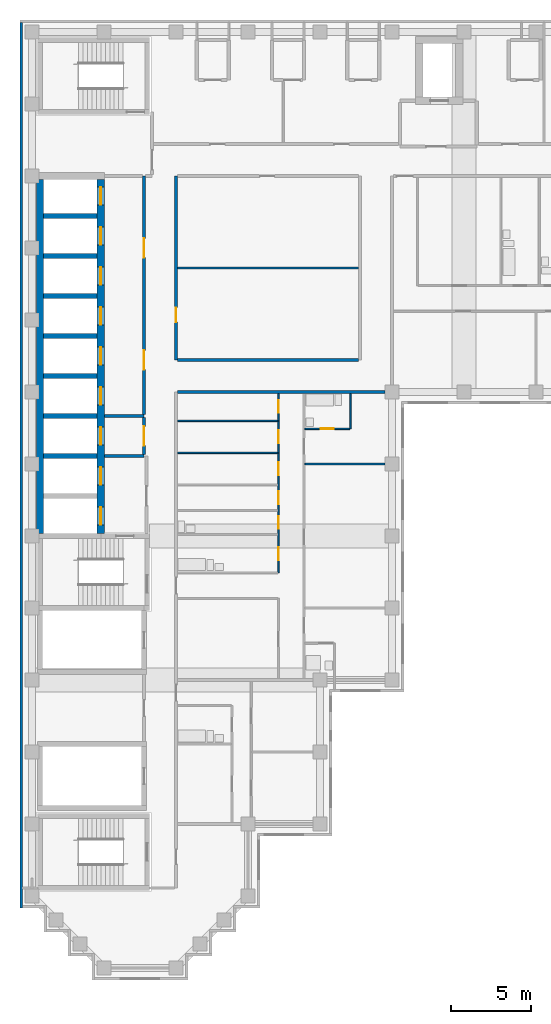
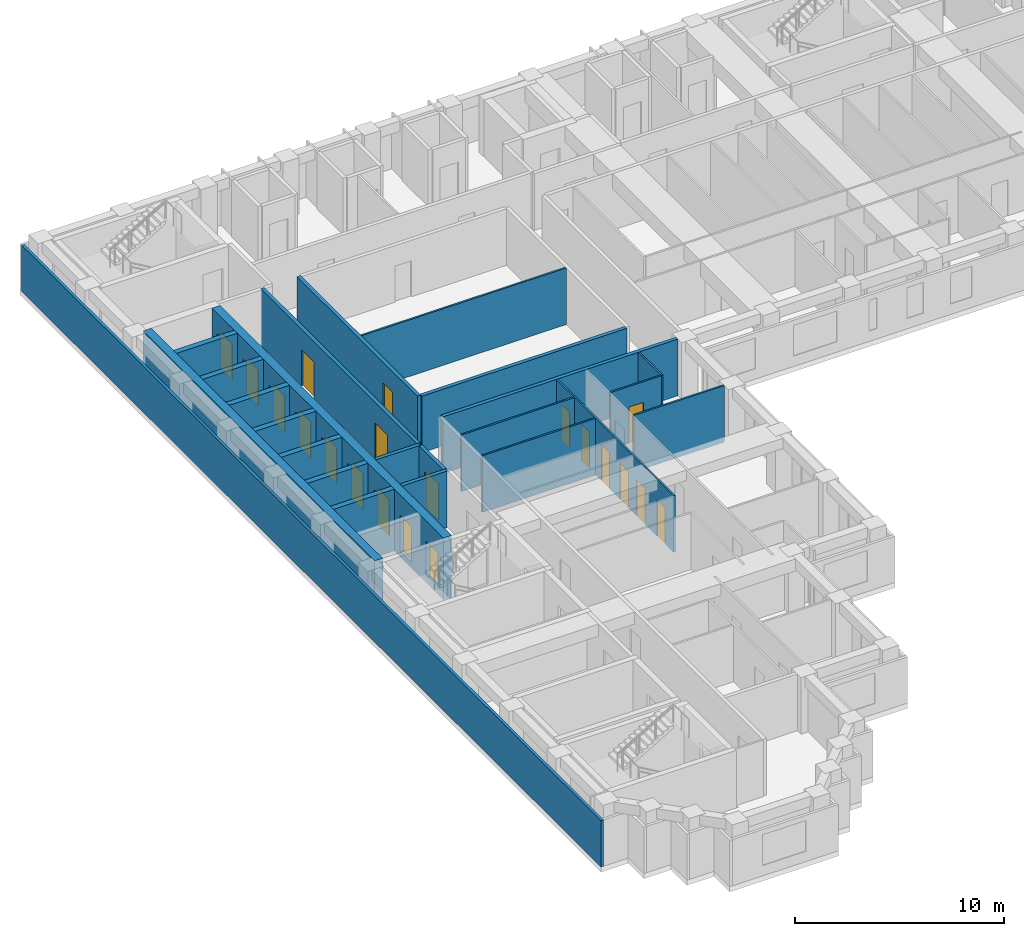
# One storey, part 4 of 10: 24 walls, 20 doors, 20 openings.
"""IFC4 building model written with IfcOpenShell, lengths in metres."""

from ifc_helpers import new_model, si_unit, direction, frame, frame_2d, origin, place, context, subcontext, project, spatial, rectangle, extrude, material, layer, layer_set, type_object, element, fill, save


model = new_model("IFC4")

# Units and contexts
model_context = context("Model", 3, precision=1e-05, world=origin(), true_north=direction((0.0, 1.0)))
body_context = subcontext(model_context, "Body", "Model", "MODEL_VIEW")
ifc_project = project(units=[si_unit("LENGTHUNIT", "METRE"), si_unit("AREAUNIT", "SQUARE_METRE"), si_unit("VOLUMEUNIT", "CUBIC_METRE"), si_unit("PLANEANGLEUNIT", "RADIAN"), si_unit("MASSUNIT", "GRAM", prefix="KILO")], contexts=[model_context])

# Site, building, storey
site_placement = place(None, origin())
site = spatial("IfcSite", under=ifc_project, at=site_placement, CompositionType="ELEMENT")
building_placement = place(site_placement, origin())
building = spatial("IfcBuilding", under=site, at=building_placement, Name="Firuza Court", CompositionType="ELEMENT")
storey_placement = place(building_placement, frame((0.0, 0.0, 204.199951171875)))
storey = spatial("IfcBuildingStorey", under=building, at=storey_placement, Name="L52", CompositionType="ELEMENT", Elevation=204.199951171875)

# Wall, opening, door
ifc_material_1 = material(Name="Moisture-resistant gypsum board partition")
ifc_layer_1 = layer(ifc_material_1, 0.10009765625)
ifc_layer_set_1 = layer_set([ifc_layer_1], Name="Moisture-resistant gypsum board partition")
wall_type_1 = type_object("IfcWallType", Name="Bathroom partition 100", PredefinedType="PLUMBINGWALL", material=ifc_layer_set_1)
wall_1_placement = place(storey_placement, frame((17.050048828125, 33.699951171875, 0.0), z_axis=(0.0, 0.0, 1.0), x_axis=(1.0, 0.0, 0.0)))
wall_1 = element("IfcWall", 1, at=wall_1_placement, inside=storey, type_object=wall_type_1, Name="Bathroom partition 100 L52", PredefinedType="PLUMBINGWALL", context=body_context, shape_type="SweptSolid", body=[
    extrude(rectangle(XDim=2.800048828125, YDim=0.10009765625, at=frame_2d((1.39990234375, 0.0))), origin(), (0.0, 0.0, 1.0), 3.300048828125),
])
opening_1_placement = place(wall_1_placement, frame((1.0, 0.0, 0.0)))
opening_1 = element("IfcOpeningElement", 2, at=opening_1_placement, cuts=wall_1, Name="Opening D52035", PredefinedType="OPENING", context=body_context, shape_type="SweptSolid", body=[
    extrude(rectangle(XDim=0.800048828125, YDim=2.10009765625, at=frame_2d((0.39990234375, 1.050048828125))), frame((0.0, 0.06201171875, 0.0), z_axis=(0.0, -1.0, 0.0), x_axis=(1.0, 0.0, 0.0)), (0.0, 0.0, 1.0), 0.1240234375),
])
ifc_material_2 = material(Name="Timber door leaf in hardwood frame", Category="wood")
door_type_1 = type_object("IfcDoorType", Name="Bathroom door 800", OperationType="SINGLE_SWING_LEFT", PredefinedType="DOOR", material=ifc_material_2)
door_1_placement = place(opening_1_placement, origin())
door_1 = element("IfcDoor", 3, at=door_1_placement, inside=storey, type_object=door_type_1, Name="En-suite door", OperationType="SINGLE_SWING_LEFT", OverallHeight=2.10009765625, OverallWidth=0.800048828125, PredefinedType="DOOR", context=body_context, shape_type="SweptSolid", body=[
    extrude(rectangle(XDim=0.800048828125, YDim=2.10009765625, at=frame_2d((0.39990234375, 1.050048828125))), frame((0.0, 0.02490234375, 0.0), z_axis=(0.0, -1.0, 0.0), x_axis=(1.0, 0.0, 0.0)), (0.0, 0.0, 1.0), 0.050048828125),
])
fill(opening_1, door_1)

# Walls
wall_2_placement = place(storey_placement, frame((19.89990234375, 33.699951171875, 0.0), z_axis=(0.0, 0.0, 1.0), x_axis=(0.0, 1.0, 0.0)))
element("IfcWall", 4, at=wall_2_placement, inside=storey, type_object=wall_type_1, Name="Bathroom partition 100 L52", PredefinedType="PLUMBINGWALL", context=body_context, shape_type="SweptSolid", body=[
    extrude(rectangle(XDim=2.199951171875, YDim=0.10009765625, at=frame_2d((1.10009765625, 0.0))), origin(), (0.0, 0.0, 1.0), 3.300048828125),
])
ifc_material_3 = material(Name="Concrete C50/60", Category="concrete")
ifc_layer_2 = layer(ifc_material_3, 0.300048828125)
ifc_layer_set_2 = layer_set([ifc_layer_2], Name="Concrete C50/60")
wall_type_2 = type_object("IfcWallType", Name="Core wall 300 C50/60", PredefinedType="SHEAR", material=ifc_layer_set_2)
for number, where, z_axis, x_axis, name in (
    (5, (0.72509765625, 32.0, -0.300048828125), (0.0, 0.0, 1.0), (1.0, 0.0, 0.0), "Core wall lift shaft L52"),
    (6, (0.72509765625, 34.5, -0.300048828125), (0.0, 0.0, 1.0), (1.0, 0.0, 0.0), "Core wall lift shaft L52"),
    (7, (0.72509765625, 37.0, -0.300048828125), (0.0, 0.0, 1.0), (1.0, 0.0, 0.0), "Core wall lift shaft L52"),
    (8, (0.72509765625, 39.5, -0.300048828125), (0.0, 0.0, 1.0), (1.0, 0.0, 0.0), "Core wall lift shaft L52"),
    (9, (0.72509765625, 42.0, -0.300048828125), (0.0, 0.0, 1.0), (1.0, 0.0, 0.0), "Core wall lift shaft L52"),
    (10, (0.72509765625, 44.5, -0.300048828125), (0.0, 0.0, 1.0), (1.0, 0.0, 0.0), "Core wall lift shaft L52"),
    (11, (0.72509765625, 47.0, -0.300048828125), (0.0, 0.0, 1.0), (1.0, 0.0, 0.0), "Core wall lift shaft L52"),
):
    element("IfcWall", number, at=place(storey_placement, frame(where, z_axis=z_axis, x_axis=x_axis)), inside=storey, type_object=wall_type_2, Name=name, PredefinedType="SHEAR", context=body_context, shape_type="SweptSolid", body=[
        extrude(rectangle(XDim=3.349853515625, YDim=0.300048828125, at=frame_2d((1.6748046875, 0.0))), origin(), (0.0, 0.0, 1.0), 3.60009765625),
    ])
ifc_layer_3 = layer(ifc_material_3, 0.449951171875)
ifc_layer_set_3 = layer_set([ifc_layer_3], Name="Concrete C50/60")
wall_type_3 = type_object("IfcWallType", Name="Core wall 450 C50/60", PredefinedType="SHEAR", material=ifc_layer_set_3)
wall_3_placement = place(storey_placement, frame((0.5, 27.14990234375, -0.300048828125), z_axis=(0.0, 0.0, 1.0), x_axis=(0.0, 1.0, 0.0)))
element("IfcWall", 12, at=wall_3_placement, inside=storey, type_object=wall_type_3, Name="Core wall lift shaft L52", PredefinedType="SHEAR", context=body_context, shape_type="SweptSolid", body=[
    extrude(rectangle(XDim=22.125, YDim=0.449951171875, at=frame_2d((11.0625, 0.0))), origin(), (0.0, 0.0, 1.0), 3.60009765625),
])

# Wall, openings, doors
wall_4_placement = place(storey_placement, frame((4.300048828125, 27.14990234375, -0.300048828125), z_axis=(0.0, 0.0, 1.0), x_axis=(0.0, 1.0, 0.0)))
wall_4 = element("IfcWall", 13, at=wall_4_placement, inside=storey, type_object=wall_type_3, Name="Core wall lift shaft L52", PredefinedType="SHEAR", context=body_context, shape_type="SweptSolid", body=[
    extrude(rectangle(XDim=22.125, YDim=0.449951171875, at=frame_2d((11.0625, 0.0))), origin(), (0.0, 0.0, 1.0), 3.60009765625),
])
opening_2_placement = place(wall_4_placement, frame((3.050048828125, 0.0, 0.300048828125)))
opening_2 = element("IfcOpeningElement", 14, at=opening_2_placement, cuts=wall_4, Name="Opening LD-FL1-52", PredefinedType="OPENING", context=body_context, shape_type="SweptSolid", body=[
    extrude(rectangle(XDim=1.10009765625, YDim=2.10009765625, at=frame_2d((0.550048828125, 1.050048828125))), frame((0.0, 0.23681640625, 0.0), z_axis=(0.0, -1.0, 0.0), x_axis=(1.0, 0.0, 0.0)), (0.0, 0.0, 1.0), 0.473876953125),
])
opening_3_placement = place(wall_4_placement, frame((0.550048828125, 0.0, 0.300048828125)))
opening_3 = element("IfcOpeningElement", 15, at=opening_3_placement, cuts=wall_4, Name="Opening LD-FL2-52", PredefinedType="OPENING", context=body_context, shape_type="SweptSolid", body=[
    extrude(rectangle(XDim=1.10009765625, YDim=2.10009765625, at=frame_2d((0.550048828125, 1.050048828125))), frame((0.0, 0.23681640625, 0.0), z_axis=(0.0, -1.0, 0.0), x_axis=(1.0, 0.0, 0.0)), (0.0, 0.0, 1.0), 0.473876953125),
])
opening_4_placement = place(wall_4_placement, frame((20.550048828125, 0.0, 0.300048828125)))
opening_4 = element("IfcOpeningElement", 16, at=opening_4_placement, cuts=wall_4, Name="Opening LD-HB1-52", PredefinedType="OPENING", context=body_context, shape_type="SweptSolid", body=[
    extrude(rectangle(XDim=1.10009765625, YDim=2.10009765625, at=frame_2d((0.550048828125, 1.050048828125))), frame((0.0, 0.23681640625, 0.0), z_axis=(0.0, -1.0, 0.0), x_axis=(1.0, 0.0, 0.0)), (0.0, 0.0, 1.0), 0.473876953125),
])
opening_5_placement = place(wall_4_placement, frame((18.050048828125, 0.0, 0.300048828125)))
opening_5 = element("IfcOpeningElement", 17, at=opening_5_placement, cuts=wall_4, Name="Opening LD-HB2-52", PredefinedType="OPENING", context=body_context, shape_type="SweptSolid", body=[
    extrude(rectangle(XDim=1.10009765625, YDim=2.10009765625, at=frame_2d((0.550048828125, 1.050048828125))), frame((0.0, 0.23681640625, 0.0), z_axis=(0.0, -1.0, 0.0), x_axis=(1.0, 0.0, 0.0)), (0.0, 0.0, 1.0), 0.473876953125),
])
opening_6_placement = place(wall_4_placement, frame((15.550048828125, 0.0, 0.300048828125)))
opening_6 = element("IfcOpeningElement", 18, at=opening_6_placement, cuts=wall_4, Name="Opening LD-HB3-52", PredefinedType="OPENING", context=body_context, shape_type="SweptSolid", body=[
    extrude(rectangle(XDim=1.10009765625, YDim=2.10009765625, at=frame_2d((0.550048828125, 1.050048828125))), frame((0.0, 0.23681640625, 0.0), z_axis=(0.0, -1.0, 0.0), x_axis=(1.0, 0.0, 0.0)), (0.0, 0.0, 1.0), 0.473876953125),
])
opening_7_placement = place(wall_4_placement, frame((13.050048828125, 0.0, 0.300048828125)))
opening_7 = element("IfcOpeningElement", 19, at=opening_7_placement, cuts=wall_4, Name="Opening LD-HB4-52", PredefinedType="OPENING", context=body_context, shape_type="SweptSolid", body=[
    extrude(rectangle(XDim=1.10009765625, YDim=2.10009765625, at=frame_2d((0.550048828125, 1.050048828125))), frame((0.0, 0.23681640625, 0.0), z_axis=(0.0, -1.0, 0.0), x_axis=(1.0, 0.0, 0.0)), (0.0, 0.0, 1.0), 0.473876953125),
])
opening_8_placement = place(wall_4_placement, frame((10.550048828125, 0.0, 0.300048828125)))
opening_8 = element("IfcOpeningElement", 20, at=opening_8_placement, cuts=wall_4, Name="Opening LD-HB5-52", PredefinedType="OPENING", context=body_context, shape_type="SweptSolid", body=[
    extrude(rectangle(XDim=1.10009765625, YDim=2.10009765625, at=frame_2d((0.550048828125, 1.050048828125))), frame((0.0, 0.23681640625, 0.0), z_axis=(0.0, -1.0, 0.0), x_axis=(1.0, 0.0, 0.0)), (0.0, 0.0, 1.0), 0.473876953125),
])
opening_9_placement = place(wall_4_placement, frame((8.050048828125, 0.0, 0.300048828125)))
opening_9 = element("IfcOpeningElement", 21, at=opening_9_placement, cuts=wall_4, Name="Opening LD-HB6-52", PredefinedType="OPENING", context=body_context, shape_type="SweptSolid", body=[
    extrude(rectangle(XDim=1.10009765625, YDim=2.10009765625, at=frame_2d((0.550048828125, 1.050048828125))), frame((0.0, 0.23681640625, 0.0), z_axis=(0.0, -1.0, 0.0), x_axis=(1.0, 0.0, 0.0)), (0.0, 0.0, 1.0), 0.473876953125),
])
opening_10_placement = place(wall_4_placement, frame((5.550048828125, 0.0, 0.300048828125)))
opening_10 = element("IfcOpeningElement", 22, at=opening_10_placement, cuts=wall_4, Name="Opening LD-SL1-52", PredefinedType="OPENING", context=body_context, shape_type="SweptSolid", body=[
    extrude(rectangle(XDim=1.10009765625, YDim=2.10009765625, at=frame_2d((0.550048828125, 1.050048828125))), frame((0.0, 0.23681640625, 0.0), z_axis=(0.0, -1.0, 0.0), x_axis=(1.0, 0.0, 0.0)), (0.0, 0.0, 1.0), 0.473876953125),
])
ifc_material_4 = material(Name="Stainless steel 1.4301 door leaf", Category="steel")
door_type_2 = type_object("IfcDoorType", Name="Lift landing door 1100", OperationType="SLIDING_TO_LEFT", PredefinedType="DOOR", material=ifc_material_4)
door_2_placement = place(opening_2_placement, origin())
door_2 = element("IfcDoor", 23, at=door_2_placement, inside=storey, type_object=door_type_2, Name="Landing door FL1", OperationType="SLIDING_TO_LEFT", OverallHeight=2.10009765625, OverallWidth=1.10009765625, PredefinedType="DOOR", context=body_context, shape_type="SweptSolid", body=[
    extrude(rectangle(XDim=1.10009765625, YDim=2.10009765625, at=frame_2d((0.550048828125, 1.050048828125))), frame((0.0, 0.02490234375, 0.0), z_axis=(0.0, -1.0, 0.0), x_axis=(1.0, 0.0, 0.0)), (0.0, 0.0, 1.0), 0.050048828125),
])
fill(opening_2, door_2)
door_3_placement = place(opening_3_placement, origin())
door_3 = element("IfcDoor", 24, at=door_3_placement, inside=storey, type_object=door_type_2, Name="Landing door FL2", OperationType="SLIDING_TO_LEFT", OverallHeight=2.10009765625, OverallWidth=1.10009765625, PredefinedType="DOOR", context=body_context, shape_type="SweptSolid", body=[
    extrude(rectangle(XDim=1.10009765625, YDim=2.10009765625, at=frame_2d((0.550048828125, 1.050048828125))), frame((0.0, 0.02490234375, 0.0), z_axis=(0.0, -1.0, 0.0), x_axis=(1.0, 0.0, 0.0)), (0.0, 0.0, 1.0), 0.050048828125),
])
fill(opening_3, door_3)
door_4_placement = place(opening_4_placement, origin())
door_4 = element("IfcDoor", 25, at=door_4_placement, inside=storey, type_object=door_type_2, Name="Landing door HB1", OperationType="SLIDING_TO_LEFT", OverallHeight=2.10009765625, OverallWidth=1.10009765625, PredefinedType="DOOR", context=body_context, shape_type="SweptSolid", body=[
    extrude(rectangle(XDim=1.10009765625, YDim=2.10009765625, at=frame_2d((0.550048828125, 1.050048828125))), frame((0.0, 0.02490234375, 0.0), z_axis=(0.0, -1.0, 0.0), x_axis=(1.0, 0.0, 0.0)), (0.0, 0.0, 1.0), 0.050048828125),
])
fill(opening_4, door_4)
door_5_placement = place(opening_5_placement, origin())
door_5 = element("IfcDoor", 26, at=door_5_placement, inside=storey, type_object=door_type_2, Name="Landing door HB2", OperationType="SLIDING_TO_LEFT", OverallHeight=2.10009765625, OverallWidth=1.10009765625, PredefinedType="DOOR", context=body_context, shape_type="SweptSolid", body=[
    extrude(rectangle(XDim=1.10009765625, YDim=2.10009765625, at=frame_2d((0.550048828125, 1.050048828125))), frame((0.0, 0.02490234375, 0.0), z_axis=(0.0, -1.0, 0.0), x_axis=(1.0, 0.0, 0.0)), (0.0, 0.0, 1.0), 0.050048828125),
])
fill(opening_5, door_5)
door_6_placement = place(opening_6_placement, origin())
door_6 = element("IfcDoor", 27, at=door_6_placement, inside=storey, type_object=door_type_2, Name="Landing door HB3", OperationType="SLIDING_TO_LEFT", OverallHeight=2.10009765625, OverallWidth=1.10009765625, PredefinedType="DOOR", context=body_context, shape_type="SweptSolid", body=[
    extrude(rectangle(XDim=1.10009765625, YDim=2.10009765625, at=frame_2d((0.550048828125, 1.050048828125))), frame((0.0, 0.02490234375, 0.0), z_axis=(0.0, -1.0, 0.0), x_axis=(1.0, 0.0, 0.0)), (0.0, 0.0, 1.0), 0.050048828125),
])
fill(opening_6, door_6)
door_7_placement = place(opening_7_placement, origin())
door_7 = element("IfcDoor", 28, at=door_7_placement, inside=storey, type_object=door_type_2, Name="Landing door HB4", OperationType="SLIDING_TO_LEFT", OverallHeight=2.10009765625, OverallWidth=1.10009765625, PredefinedType="DOOR", context=body_context, shape_type="SweptSolid", body=[
    extrude(rectangle(XDim=1.10009765625, YDim=2.10009765625, at=frame_2d((0.550048828125, 1.050048828125))), frame((0.0, 0.02490234375, 0.0), z_axis=(0.0, -1.0, 0.0), x_axis=(1.0, 0.0, 0.0)), (0.0, 0.0, 1.0), 0.050048828125),
])
fill(opening_7, door_7)
door_8_placement = place(opening_8_placement, origin())
door_8 = element("IfcDoor", 29, at=door_8_placement, inside=storey, type_object=door_type_2, Name="Landing door HB5", OperationType="SLIDING_TO_LEFT", OverallHeight=2.10009765625, OverallWidth=1.10009765625, PredefinedType="DOOR", context=body_context, shape_type="SweptSolid", body=[
    extrude(rectangle(XDim=1.10009765625, YDim=2.10009765625, at=frame_2d((0.550048828125, 1.050048828125))), frame((0.0, 0.02490234375, 0.0), z_axis=(0.0, -1.0, 0.0), x_axis=(1.0, 0.0, 0.0)), (0.0, 0.0, 1.0), 0.050048828125),
])
fill(opening_8, door_8)
door_9_placement = place(opening_9_placement, origin())
door_9 = element("IfcDoor", 30, at=door_9_placement, inside=storey, type_object=door_type_2, Name="Landing door HB6", OperationType="SLIDING_TO_LEFT", OverallHeight=2.10009765625, OverallWidth=1.10009765625, PredefinedType="DOOR", context=body_context, shape_type="SweptSolid", body=[
    extrude(rectangle(XDim=1.10009765625, YDim=2.10009765625, at=frame_2d((0.550048828125, 1.050048828125))), frame((0.0, 0.02490234375, 0.0), z_axis=(0.0, -1.0, 0.0), x_axis=(1.0, 0.0, 0.0)), (0.0, 0.0, 1.0), 0.050048828125),
])
fill(opening_9, door_9)
door_10_placement = place(opening_10_placement, origin())
door_10 = element("IfcDoor", 31, at=door_10_placement, inside=storey, type_object=door_type_2, Name="Landing door SL1", OperationType="SLIDING_TO_LEFT", OverallHeight=2.10009765625, OverallWidth=1.10009765625, PredefinedType="DOOR", context=body_context, shape_type="SweptSolid", body=[
    extrude(rectangle(XDim=1.10009765625, YDim=2.10009765625, at=frame_2d((0.550048828125, 1.050048828125))), frame((0.0, 0.02490234375, 0.0), z_axis=(0.0, -1.0, 0.0), x_axis=(1.0, 0.0, 0.0)), (0.0, 0.0, 1.0), 0.050048828125),
])
fill(opening_10, door_10)

# Wall, opening, door
ifc_material_5 = material(Name="Blockwork, plastered both sides", Category="masonry")
ifc_layer_4 = layer(ifc_material_5, 0.199951171875)
ifc_layer_set_4 = layer_set([ifc_layer_4], Name="Blockwork, plastered both sides")
wall_type_4 = type_object("IfcWallType", Name="Corridor wall 200", PredefinedType="PARTITIONING", material=ifc_layer_set_4)
wall_5_placement = place(storey_placement, frame((9.0, 38.0, 0.0), z_axis=(0.0, 0.0, 1.0), x_axis=(0.0, 1.0, 0.0)))
wall_5 = element("IfcWall", 32, at=wall_5_placement, inside=storey, type_object=wall_type_4, Name="Corridor wall 200 L52", PredefinedType="PARTITIONING", context=body_context, shape_type="SweptSolid", body=[
    extrude(rectangle(XDim=11.5, YDim=0.199951171875, at=frame_2d((5.75, 0.0))), origin(), (0.0, 0.0, 1.0), 3.300048828125),
])
opening_11_placement = place(wall_5_placement, frame((2.375, 0.0, 0.0)))
opening_11 = element("IfcOpeningElement", 33, at=opening_11_placement, cuts=wall_5, Name="Opening D52036", PredefinedType="OPENING", context=body_context, shape_type="SweptSolid", body=[
    extrude(rectangle(XDim=0.89990234375, YDim=2.10009765625, at=frame_2d((0.449951171875, 1.050048828125))), frame((0.0, 0.11181640625, 0.0), z_axis=(0.0, -1.0, 0.0), x_axis=(1.0, 0.0, 0.0)), (0.0, 0.0, 1.0), 0.223876953125),
])
ifc_material_6 = material(Name="Timber door leaf in hardwood frame", Category="wood")
door_type_3 = type_object("IfcDoorType", Name="Room door 900 EI 30", OperationType="SINGLE_SWING_LEFT", PredefinedType="DOOR", material=ifc_material_6)
door_11_placement = place(opening_11_placement, frame((0.89990234375, 0.0, 0.0), z_axis=(0.0, 0.0, 1.0), x_axis=(-1.0, 0.0, 0.0)))
door_11 = element("IfcDoor", 34, at=door_11_placement, inside=storey, type_object=door_type_3, Name="Wine room door", OperationType="SINGLE_SWING_RIGHT", OverallHeight=2.10009765625, OverallWidth=0.89990234375, PredefinedType="DOOR", context=body_context, shape_type="SweptSolid", body=[
    extrude(rectangle(XDim=0.89990234375, YDim=2.10009765625, at=frame_2d((0.449951171875, 1.050048828125))), frame((0.0, 0.02490234375, 0.0), z_axis=(0.0, -1.0, 0.0), x_axis=(1.0, 0.0, 0.0)), (0.0, 0.0, 1.0), 0.050048828125),
])
fill(opening_11, door_11)

# Wall
wall_6_placement = place(storey_placement, frame((9.10009765625, 38.0, 0.0), z_axis=(0.0, 0.0, 1.0), x_axis=(1.0, 0.0, 0.0)))
element("IfcWall", 35, at=wall_6_placement, inside=storey, type_object=wall_type_4, Name="Corridor wall 200 L52", PredefinedType="PARTITIONING", context=body_context, shape_type="SweptSolid", body=[
    extrude(rectangle(XDim=11.2998046875, YDim=0.199951171875, at=frame_2d((5.64990234375, 0.0))), origin(), (0.0, 0.0, 1.0), 3.300048828125),
])

# Wall, openings, doors
ifc_material_7 = material(Name="Timber stud partition, plasterboard both sides", Category="wood")
ifc_layer_5 = layer(ifc_material_7, 0.10009765625)
ifc_layer_set_5 = layer_set([ifc_layer_5], Name="Timber stud partition, plasterboard both sides")
wall_type_5 = type_object("IfcWallType", Name="Partition wall 100", PredefinedType="PARTITIONING", material=ifc_layer_set_5)
wall_7_placement = place(storey_placement, frame((15.39990234375, 24.699951171875, 0.0), z_axis=(0.0, 0.0, 1.0), x_axis=(0.0, 1.0, 0.0)))
wall_7 = element("IfcWall", 36, at=wall_7_placement, inside=storey, type_object=wall_type_5, Name="Partition wall 100 L52", PredefinedType="PARTITIONING", context=body_context, shape_type="SweptSolid", body=[
    extrude(rectangle(XDim=11.199951171875, YDim=0.10009765625, at=frame_2d((5.60009765625, 0.0))), origin(), (0.0, 0.0, 1.0), 3.300048828125),
])
opening_12_placement = place(wall_7_placement, frame((0.800048828125, 0.0, 0.0)))
opening_12 = element("IfcOpeningElement", 37, at=opening_12_placement, cuts=wall_7, Name="Opening D52029", PredefinedType="OPENING", context=body_context, shape_type="SweptSolid", body=[
    extrude(rectangle(XDim=0.800048828125, YDim=2.10009765625, at=frame_2d((0.39990234375, 1.050048828125))), frame((0.0, 0.06201171875, 0.0), z_axis=(0.0, -1.0, 0.0), x_axis=(1.0, 0.0, 0.0)), (0.0, 0.0, 1.0), 0.1240234375),
])
opening_13_placement = place(wall_7_placement, frame((8.10009765625, 0.0, 0.0)))
opening_13 = element("IfcOpeningElement", 38, at=opening_13_placement, cuts=wall_7, Name="Opening D52030", PredefinedType="OPENING", context=body_context, shape_type="SweptSolid", body=[
    extrude(rectangle(XDim=0.800048828125, YDim=2.10009765625, at=frame_2d((0.39990234375, 1.050048828125))), frame((0.0, 0.06201171875, 0.0), z_axis=(0.0, -1.0, 0.0), x_axis=(1.0, 0.0, 0.0)), (0.0, 0.0, 1.0), 0.1240234375),
])
opening_14_placement = place(wall_7_placement, frame((4.300048828125, 0.0, 0.0)))
opening_14 = element("IfcOpeningElement", 39, at=opening_14_placement, cuts=wall_7, Name="Opening D52031", PredefinedType="OPENING", context=body_context, shape_type="SweptSolid", body=[
    extrude(rectangle(XDim=0.800048828125, YDim=2.10009765625, at=frame_2d((0.39990234375, 1.050048828125))), frame((0.0, 0.06201171875, 0.0), z_axis=(0.0, -1.0, 0.0), x_axis=(1.0, 0.0, 0.0)), (0.0, 0.0, 1.0), 0.1240234375),
])
opening_15_placement = place(wall_7_placement, frame((6.10009765625, 0.0, 0.0)))
opening_15 = element("IfcOpeningElement", 40, at=opening_15_placement, cuts=wall_7, Name="Opening D52032", PredefinedType="OPENING", context=body_context, shape_type="SweptSolid", body=[
    extrude(rectangle(XDim=0.800048828125, YDim=2.10009765625, at=frame_2d((0.39990234375, 1.050048828125))), frame((0.0, 0.06201171875, 0.0), z_axis=(0.0, -1.0, 0.0), x_axis=(1.0, 0.0, 0.0)), (0.0, 0.0, 1.0), 0.1240234375),
])
opening_16_placement = place(wall_7_placement, frame((10.0, 0.0, 0.0)))
opening_16 = element("IfcOpeningElement", 41, at=opening_16_placement, cuts=wall_7, Name="Opening D52033", PredefinedType="OPENING", context=body_context, shape_type="SweptSolid", body=[
    extrude(rectangle(XDim=0.800048828125, YDim=2.10009765625, at=frame_2d((0.39990234375, 1.050048828125))), frame((0.0, 0.06201171875, 0.0), z_axis=(0.0, -1.0, 0.0), x_axis=(1.0, 0.0, 0.0)), (0.0, 0.0, 1.0), 0.1240234375),
])
opening_17_placement = place(wall_7_placement, frame((2.75, 0.0, 0.0)))
opening_17 = element("IfcOpeningElement", 42, at=opening_17_placement, cuts=wall_7, Name="Opening D52034", PredefinedType="OPENING", context=body_context, shape_type="SweptSolid", body=[
    extrude(rectangle(XDim=0.800048828125, YDim=2.10009765625, at=frame_2d((0.39990234375, 1.050048828125))), frame((0.0, 0.06201171875, 0.0), z_axis=(0.0, -1.0, 0.0), x_axis=(1.0, 0.0, 0.0)), (0.0, 0.0, 1.0), 0.1240234375),
])
door_12_placement = place(opening_12_placement, origin())
door_12 = element("IfcDoor", 43, at=door_12_placement, inside=storey, type_object=door_type_1, Name="Bathroom door", OperationType="SINGLE_SWING_LEFT", OverallHeight=2.10009765625, OverallWidth=0.800048828125, PredefinedType="DOOR", context=body_context, shape_type="SweptSolid", body=[
    extrude(rectangle(XDim=0.800048828125, YDim=2.10009765625, at=frame_2d((0.39990234375, 1.050048828125))), frame((0.0, 0.02490234375, 0.0), z_axis=(0.0, -1.0, 0.0), x_axis=(1.0, 0.0, 0.0)), (0.0, 0.0, 1.0), 0.050048828125),
])
fill(opening_12, door_12)
door_13_placement = place(opening_17_placement, origin())
door_13 = element("IfcDoor", 44, at=door_13_placement, inside=storey, type_object=door_type_1, Name="Powder room door", OperationType="SINGLE_SWING_LEFT", OverallHeight=2.10009765625, OverallWidth=0.800048828125, PredefinedType="DOOR", context=body_context, shape_type="SweptSolid", body=[
    extrude(rectangle(XDim=0.800048828125, YDim=2.10009765625, at=frame_2d((0.39990234375, 1.050048828125))), frame((0.0, 0.02490234375, 0.0), z_axis=(0.0, -1.0, 0.0), x_axis=(1.0, 0.0, 0.0)), (0.0, 0.0, 1.0), 0.050048828125),
])
fill(opening_17, door_13)
ifc_material_8 = material(Name="Timber door leaf in hardwood frame", Category="wood")
door_type_4 = type_object("IfcDoorType", Name="Room door 800", OperationType="SINGLE_SWING_LEFT", PredefinedType="DOOR", material=ifc_material_8)
door_14_placement = place(opening_13_placement, origin())
door_14 = element("IfcDoor", 45, at=door_14_placement, inside=storey, type_object=door_type_4, Name="Pantry door", OperationType="SINGLE_SWING_LEFT", OverallHeight=2.10009765625, OverallWidth=0.800048828125, PredefinedType="DOOR", context=body_context, shape_type="SweptSolid", body=[
    extrude(rectangle(XDim=0.800048828125, YDim=2.10009765625, at=frame_2d((0.39990234375, 1.050048828125))), frame((0.0, 0.02490234375, 0.0), z_axis=(0.0, -1.0, 0.0), x_axis=(1.0, 0.0, 0.0)), (0.0, 0.0, 1.0), 0.050048828125),
])
fill(opening_13, door_14)
door_15_placement = place(opening_14_placement, origin())
door_15 = element("IfcDoor", 46, at=door_15_placement, inside=storey, type_object=door_type_4, Name="Store door", OperationType="SINGLE_SWING_LEFT", OverallHeight=2.10009765625, OverallWidth=0.800048828125, PredefinedType="DOOR", context=body_context, shape_type="SweptSolid", body=[
    extrude(rectangle(XDim=0.800048828125, YDim=2.10009765625, at=frame_2d((0.39990234375, 1.050048828125))), frame((0.0, 0.02490234375, 0.0), z_axis=(0.0, -1.0, 0.0), x_axis=(1.0, 0.0, 0.0)), (0.0, 0.0, 1.0), 0.050048828125),
])
fill(opening_14, door_15)
door_16_placement = place(opening_15_placement, origin())
door_16 = element("IfcDoor", 47, at=door_16_placement, inside=storey, type_object=door_type_4, Name="Utility room door", OperationType="SINGLE_SWING_LEFT", OverallHeight=2.10009765625, OverallWidth=0.800048828125, PredefinedType="DOOR", context=body_context, shape_type="SweptSolid", body=[
    extrude(rectangle(XDim=0.800048828125, YDim=2.10009765625, at=frame_2d((0.39990234375, 1.050048828125))), frame((0.0, 0.02490234375, 0.0), z_axis=(0.0, -1.0, 0.0), x_axis=(1.0, 0.0, 0.0)), (0.0, 0.0, 1.0), 0.050048828125),
])
fill(opening_15, door_16)
door_17_placement = place(opening_16_placement, origin())
door_17 = element("IfcDoor", 48, at=door_17_placement, inside=storey, type_object=door_type_4, Name="Walk-in wardrobe door", OperationType="SINGLE_SWING_LEFT", OverallHeight=2.10009765625, OverallWidth=0.800048828125, PredefinedType="DOOR", context=body_context, shape_type="SweptSolid", body=[
    extrude(rectangle(XDim=0.800048828125, YDim=2.10009765625, at=frame_2d((0.39990234375, 1.050048828125))), frame((0.0, 0.02490234375, 0.0), z_axis=(0.0, -1.0, 0.0), x_axis=(1.0, 0.0, 0.0)), (0.0, 0.0, 1.0), 0.050048828125),
])
fill(opening_16, door_17)

# Walls
wall_8_placement = place(storey_placement, frame((17.050048828125, 31.5, 0.0), z_axis=(0.0, 0.0, 1.0), x_axis=(1.0, 0.0, 0.0)))
element("IfcWall", 49, at=wall_8_placement, inside=storey, type_object=wall_type_5, Name="Partition wall 100 L52", PredefinedType="PARTITIONING", context=body_context, shape_type="SweptSolid", body=[
    extrude(rectangle(XDim=5.0, YDim=0.10009765625, at=frame_2d((2.5, 0.0))), origin(), (0.0, 0.0, 1.0), 3.300048828125),
])
for number, where, z_axis, x_axis, name in (
    (50, (9.10009765625, 32.199951171875, 0.0), (0.0, 0.0, 1.0), (1.0, 0.0, 0.0), "Partition wall 100 L52"),
    (51, (9.10009765625, 34.199951171875, 0.0), (0.0, 0.0, 1.0), (1.0, 0.0, 0.0), "Partition wall 100 L52"),
):
    element("IfcWall", number, at=place(storey_placement, frame(where, z_axis=z_axis, x_axis=x_axis)), inside=storey, type_object=wall_type_5, Name=name, PredefinedType="PARTITIONING", context=body_context, shape_type="SweptSolid", body=[
        extrude(rectangle(XDim=6.25, YDim=0.10009765625, at=frame_2d((3.125, 0.0))), origin(), (0.0, 0.0, 1.0), 3.300048828125),
    ])
wall_9_placement = place(storey_placement, frame((9.10009765625, 43.75, 0.0), z_axis=(0.0, 0.0, 1.0), x_axis=(1.0, 0.0, 0.0)))
element("IfcWall", 52, at=wall_9_placement, inside=storey, type_object=wall_type_5, Name="Partition wall 100 L52", PredefinedType="PARTITIONING", context=body_context, shape_type="SweptSolid", body=[
    extrude(rectangle(XDim=11.2998046875, YDim=0.10009765625, at=frame_2d((5.64990234375, 0.0))), origin(), (0.0, 0.0, 1.0), 3.300048828125),
])
ifc_layer_6 = layer(ifc_material_5, 0.199951171875)
ifc_layer_set_6 = layer_set([ifc_layer_6], Name="Blockwork, plastered both sides")
wall_type_6 = type_object("IfcWallType", Name="Party wall 200", PredefinedType="PARTITIONING", material=ifc_layer_set_6)
wall_10_placement = place(storey_placement, frame((9.10009765625, 36.0, 0.0), z_axis=(0.0, 0.0, 1.0), x_axis=(1.0, 0.0, 0.0)))
element("IfcWall", 53, at=wall_10_placement, inside=storey, type_object=wall_type_6, Name="Party wall 200 L52", PredefinedType="PARTITIONING", context=body_context, shape_type="SweptSolid", body=[
    extrude(rectangle(XDim=12.949951171875, YDim=0.199951171875, at=frame_2d((6.47509765625, 0.0))), origin(), (0.0, 0.0, 1.0), 3.300048828125),
])
ifc_material_9 = material(Name="Ceramic tile", Category="ceramic")
ifc_layer_7 = layer(ifc_material_9, 0.02001953125)
ifc_material_10 = material(Name="Mineral wool insulation", Category="insulation")
ifc_layer_8 = layer(ifc_material_10, 0.050048828125)
ifc_material_11 = material(Name="Concrete C40/50 precast", Category="concrete")
ifc_layer_9 = layer(ifc_material_11, 0.080078125)
ifc_layer_set_7 = layer_set([ifc_layer_7, ifc_layer_8, ifc_layer_9], Name="Concrete C40/50 precast")
wall_type_7 = type_object("IfcWallType", Name="Precast cladding wall with turquoise TILE PANEL face 150", PredefinedType="STANDARD", material=ifc_layer_set_7)
wall_11_placement = place(storey_placement, frame((-0.675048828125, 59.10009765625, 0.0), z_axis=(0.0, 0.0, 1.0), x_axis=(0.0, -1.0, 0.0)))
element("IfcWall", 54, at=wall_11_placement, inside=storey, type_object=wall_type_7, Name="Facade wall L52 W", PredefinedType="STANDARD", context=body_context, shape_type="SweptSolid", body=[
    extrude(rectangle(XDim=55.35009765625, YDim=0.14990234375, at=frame_2d((27.675048828125, 0.0))), origin(), (0.0, 0.0, 1.0), 2.699951171875),
])
ifc_material_12 = material(Name="Blockwork, fire-rated", Category="masonry")
ifc_layer_10 = layer(ifc_material_12, 0.199951171875)
ifc_layer_set_8 = layer_set([ifc_layer_10], Name="Blockwork, fire-rated")
wall_type_8 = type_object("IfcWallType", Name="Shaft wall 200", PredefinedType="PARTITIONING", material=ifc_layer_set_8)
wall_12_placement = place(storey_placement, frame((4.544921875, 34.5, 0.0), z_axis=(0.0, 0.0, 1.0), x_axis=(1.0, 0.0, 0.0)))
element("IfcWall", 55, at=wall_12_placement, inside=storey, type_object=wall_type_8, Name="Shaft wall 200 L52", PredefinedType="PARTITIONING", context=body_context, shape_type="SweptSolid", body=[
    extrude(rectangle(XDim=2.455078125, YDim=0.199951171875, at=frame_2d((1.2275390625, 0.0))), origin(), (0.0, 0.0, 1.0), 3.300048828125),
])

# Wall, openings, doors
wall_13_placement = place(storey_placement, frame((7.0, 34.60009765625, 0.0), z_axis=(0.0, 0.0, 1.0), x_axis=(0.0, 1.0, 0.0)))
wall_13 = element("IfcWall", 56, at=wall_13_placement, inside=storey, type_object=wall_type_8, Name="Shaft wall 200 L52", PredefinedType="PARTITIONING", context=body_context, shape_type="SweptSolid", body=[
    extrude(rectangle(XDim=14.89990234375, YDim=0.199951171875, at=frame_2d((7.449951171875, 0.0))), origin(), (0.0, 0.0, 1.0), 3.300048828125),
])
opening_18_placement = place(wall_13_placement, frame((2.800048828125, 0.0, 0.0)))
opening_18 = element("IfcOpeningElement", 57, at=opening_18_placement, cuts=wall_13, Name="Opening D52004", PredefinedType="OPENING", context=body_context, shape_type="SweptSolid", body=[
    extrude(rectangle(XDim=1.199951171875, YDim=2.10009765625, at=frame_2d((0.60009765625, 1.050048828125))), frame((0.0, 0.11181640625, 0.0), z_axis=(0.0, -1.0, 0.0), x_axis=(1.0, 0.0, 0.0)), (0.0, 0.0, 1.0), 0.223876953125),
])
opening_19_placement = place(wall_13_placement, frame((9.800048828125, 0.0, 0.0)))
opening_19 = element("IfcOpeningElement", 58, at=opening_19_placement, cuts=wall_13, Name="Opening D52005", PredefinedType="OPENING", context=body_context, shape_type="SweptSolid", body=[
    extrude(rectangle(XDim=1.199951171875, YDim=2.10009765625, at=frame_2d((0.60009765625, 1.050048828125))), frame((0.0, 0.11181640625, 0.0), z_axis=(0.0, -1.0, 0.0), x_axis=(1.0, 0.0, 0.0)), (0.0, 0.0, 1.0), 0.223876953125),
])
ifc_material_13 = material(Name="Timber door leaf in hardwood frame", Category="wood")
door_type_5 = type_object("IfcDoorType", Name="Lobby door 1200", OperationType="SINGLE_SWING_LEFT", PredefinedType="DOOR", material=ifc_material_13)
door_18_placement = place(opening_18_placement, origin())
door_18 = element("IfcDoor", 59, at=door_18_placement, inside=storey, type_object=door_type_5, Name="Lobby door", OperationType="SINGLE_SWING_LEFT", OverallHeight=2.10009765625, OverallWidth=1.199951171875, PredefinedType="DOOR", context=body_context, shape_type="SweptSolid", body=[
    extrude(rectangle(XDim=1.199951171875, YDim=2.10009765625, at=frame_2d((0.60009765625, 1.050048828125))), frame((0.0, 0.02490234375, 0.0), z_axis=(0.0, -1.0, 0.0), x_axis=(1.0, 0.0, 0.0)), (0.0, 0.0, 1.0), 0.050048828125),
])
fill(opening_18, door_18)
door_19_placement = place(opening_19_placement, origin())
door_19 = element("IfcDoor", 60, at=door_19_placement, inside=storey, type_object=door_type_5, Name="Lobby door", OperationType="SINGLE_SWING_RIGHT", OverallHeight=2.10009765625, OverallWidth=1.199951171875, PredefinedType="DOOR", context=body_context, shape_type="SweptSolid", body=[
    extrude(rectangle(XDim=1.199951171875, YDim=2.10009765625, at=frame_2d((0.60009765625, 1.050048828125))), frame((0.0, 0.02490234375, 0.0), z_axis=(0.0, -1.0, 0.0), x_axis=(1.0, 0.0, 0.0)), (0.0, 0.0, 1.0), 0.050048828125),
])
fill(opening_19, door_19)

# Wall
wall_14_placement = place(storey_placement, frame((4.544921875, 32.0, 0.0), z_axis=(0.0, 0.0, 1.0), x_axis=(1.0, 0.0, 0.0)))
element("IfcWall", 61, at=wall_14_placement, inside=storey, type_object=wall_type_8, Name="Shaft wall 200 L52", PredefinedType="PARTITIONING", context=body_context, shape_type="SweptSolid", body=[
    extrude(rectangle(XDim=2.455078125, YDim=0.199951171875, at=frame_2d((1.2275390625, 0.0))), origin(), (0.0, 0.0, 1.0), 3.300048828125),
])

# Wall, opening, door
wall_15_placement = place(storey_placement, frame((7.0, 32.10009765625, 0.0), z_axis=(0.0, 0.0, 1.0), x_axis=(0.0, 1.0, 0.0)))
wall_15 = element("IfcWall", 62, at=wall_15_placement, inside=storey, type_object=wall_type_8, Name="Shaft wall 200 L52", PredefinedType="PARTITIONING", context=body_context, shape_type="SweptSolid", body=[
    extrude(rectangle(XDim=2.2998046875, YDim=0.199951171875, at=frame_2d((1.14990234375, 0.0))), origin(), (0.0, 0.0, 1.0), 3.300048828125),
])
opening_20_placement = place(wall_15_placement, frame((0.550048828125, 0.0, 0.0)))
opening_20 = element("IfcOpeningElement", 63, at=opening_20_placement, cuts=wall_15, Name="Opening D52007", PredefinedType="OPENING", context=body_context, shape_type="SweptSolid", body=[
    extrude(rectangle(XDim=1.199951171875, YDim=2.10009765625, at=frame_2d((0.60009765625, 1.050048828125))), frame((0.0, 0.11181640625, 0.0), z_axis=(0.0, -1.0, 0.0), x_axis=(1.0, 0.0, 0.0)), (0.0, 0.0, 1.0), 0.223876953125),
])
door_20_placement = place(opening_20_placement, origin())
door_20 = element("IfcDoor", 64, at=door_20_placement, inside=storey, type_object=door_type_5, Name="Lobby door", OperationType="SINGLE_SWING_LEFT", OverallHeight=2.10009765625, OverallWidth=1.199951171875, PredefinedType="DOOR", context=body_context, shape_type="SweptSolid", body=[
    extrude(rectangle(XDim=1.199951171875, YDim=2.10009765625, at=frame_2d((0.60009765625, 1.050048828125))), frame((0.0, 0.02490234375, 0.0), z_axis=(0.0, -1.0, 0.0), x_axis=(1.0, 0.0, 0.0)), (0.0, 0.0, 1.0), 0.050048828125),
])
fill(opening_20, door_20)

save(model, "model.ifc")
